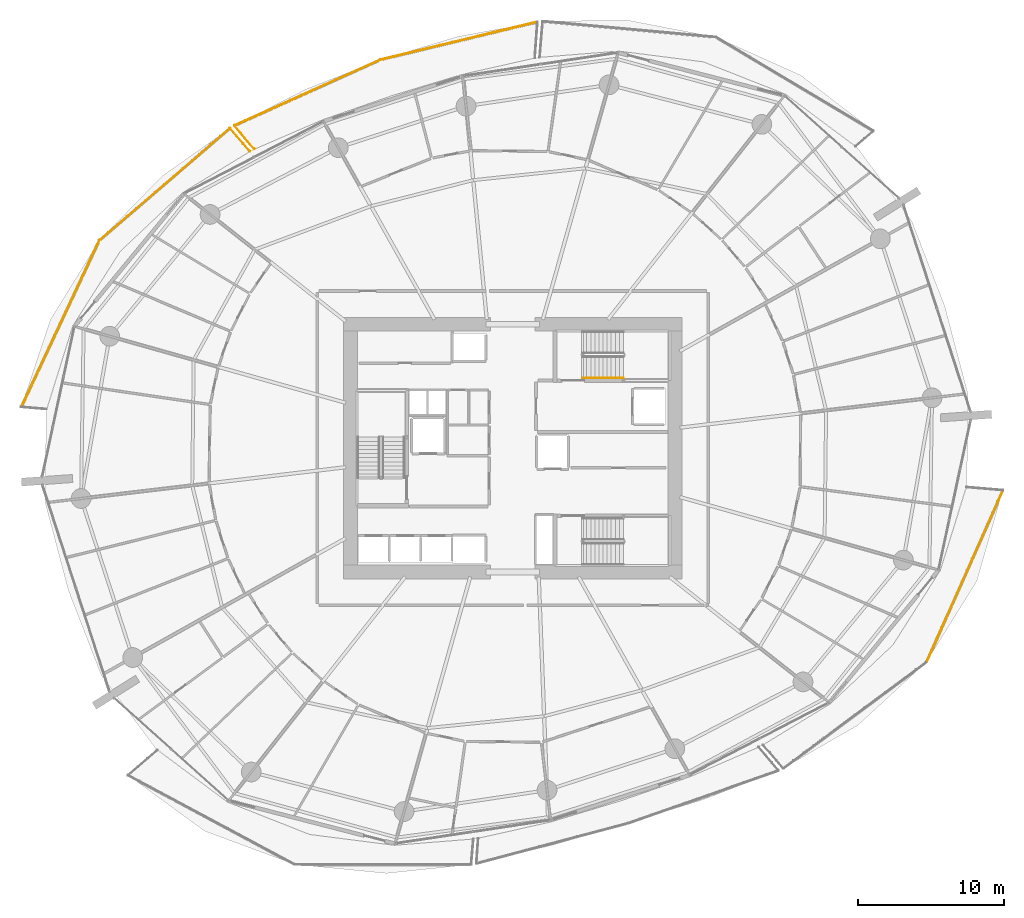
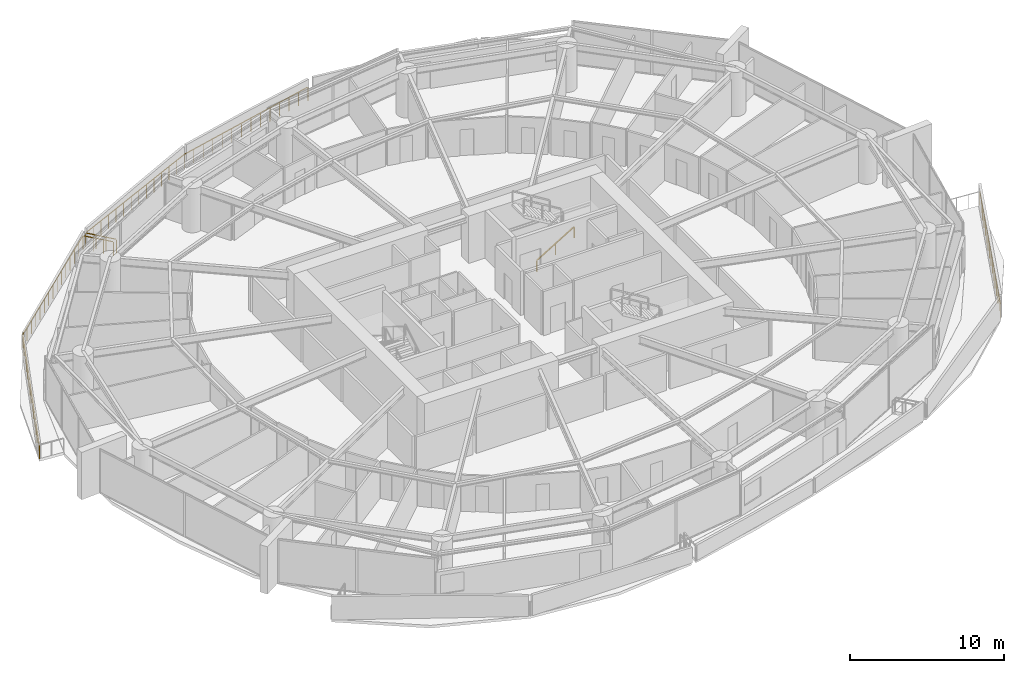
# One storey, part 29 of 31: 8 railings.
"""IFC4 building model written with IfcOpenShell, lengths in metres."""

from ifc_helpers import new_model, si_unit, direction, frame, origin, origin_2d, place, context, subcontext, project, spatial, rectangle, extrude, material, type_object, element, save


model = new_model("IFC4")

# Units and contexts
model_context = context("Model", 3, precision=1e-05, world=origin(), true_north=direction((0.0, 1.0)))
body_context = subcontext(model_context, "Body", "Model", "MODEL_VIEW")
ifc_project = project(units=[si_unit("LENGTHUNIT", "METRE"), si_unit("AREAUNIT", "SQUARE_METRE"), si_unit("VOLUMEUNIT", "CUBIC_METRE"), si_unit("PLANEANGLEUNIT", "RADIAN"), si_unit("MASSUNIT", "GRAM", prefix="KILO")], contexts=[model_context])

# Site, building, storey
site_placement = place(None, origin())
site = spatial("IfcSite", under=ifc_project, at=site_placement, CompositionType="ELEMENT")
building_placement = place(site_placement, origin())
building = spatial("IfcBuilding", under=site, at=building_placement, Name="Kazma Halo Residences", CompositionType="ELEMENT")
storey_placement = place(building_placement, frame((0.0, 0.0, 30.14990234375)))
storey = spatial("IfcBuildingStorey", under=building, at=storey_placement, Name="L06", CompositionType="ELEMENT", Elevation=30.14990234375)

# Railings
ifc_material_1 = material(Name="Aluminium AW-6063 T6 Brushed Cap Rail", Category="aluminium")
railing_type_1 = type_object("IfcRailingType", Name="RLG-BAL-CAP-1120", PredefinedType="BALUSTRADE", material=ifc_material_1)
railing_1_placement = place(storey_placement, frame((50.115234375, 71.1533203125, 0.0)))
element("IfcRailing", 1, at=railing_1_placement, inside=storey, type_object=railing_type_1, Name="L06 NNW wave balcony guard 2", PredefinedType="BALUSTRADE", context=body_context, shape_type="SweptSolid", body=[
    extrude(rectangle(XDim=0.050048828125, YDim=0.050048828125, at=origin_2d()), frame((-0.041259765625, -0.010009765625, 1.09521484375), z_axis=(-0.972166742851, -0.234290042669, 0.0), x_axis=(0.234290042669, -0.972166742851, 0.0)), (0.0, 0.0, 1.0), 10.968994140625),
    extrude(rectangle(XDim=0.0400390625, YDim=0.0400390625, at=origin_2d()), origin(), (0.0, 0.0, 1.0), 1.05810546875),
    extrude(rectangle(XDim=0.0400390625, YDim=0.0400390625, at=origin_2d()), frame((-0.82666015625, -0.19921875, 0.0)), (0.0, 0.0, 1.0), 1.05810546875),
    extrude(rectangle(XDim=0.0400390625, YDim=0.0400390625, at=origin_2d()), frame((-1.6533203125, -0.3984375, 0.0)), (0.0, 0.0, 1.0), 1.05810546875),
    extrude(rectangle(XDim=0.0400390625, YDim=0.0400390625, at=origin_2d()), frame((-2.47998046875, -0.59765625, 0.0)), (0.0, 0.0, 1.0), 1.05810546875),
    extrude(rectangle(XDim=0.0400390625, YDim=0.0400390625, at=origin_2d()), frame((-3.306640625, -0.796875, 0.0)), (0.0, 0.0, 1.0), 1.05810546875),
    extrude(rectangle(XDim=0.0400390625, YDim=0.0400390625, at=origin_2d()), frame((-4.13330078125, -0.99609375, 0.0)), (0.0, 0.0, 1.0), 1.05810546875),
    extrude(rectangle(XDim=0.0400390625, YDim=0.0400390625, at=origin_2d()), frame((-4.9599609375, -1.1953125, 0.0)), (0.0, 0.0, 1.0), 1.05810546875),
    extrude(rectangle(XDim=0.0400390625, YDim=0.0400390625, at=origin_2d()), frame((-5.786376953125, -1.39453125, 0.0)), (0.0, 0.0, 1.0), 1.05810546875),
    extrude(rectangle(XDim=0.0400390625, YDim=0.0400390625, at=origin_2d()), frame((-6.613037109375, -1.59375, 0.0)), (0.0, 0.0, 1.0), 1.05810546875),
    extrude(rectangle(XDim=0.0400390625, YDim=0.0400390625, at=origin_2d()), frame((-7.439697265625, -1.79296875, 0.0)), (0.0, 0.0, 1.0), 1.05810546875),
    extrude(rectangle(XDim=0.0400390625, YDim=0.0400390625, at=origin_2d()), frame((-8.266357421875, -1.9921875, 0.0)), (0.0, 0.0, 1.0), 1.05810546875),
    extrude(rectangle(XDim=0.0400390625, YDim=0.0400390625, at=origin_2d()), frame((-9.093017578125, -2.19140625, 0.0)), (0.0, 0.0, 1.0), 1.05810546875),
    extrude(rectangle(XDim=0.0400390625, YDim=0.0400390625, at=origin_2d()), frame((-9.919677734375, -2.390625, 0.0)), (0.0, 0.0, 1.0), 1.05810546875),
    extrude(rectangle(XDim=0.0400390625, YDim=0.0400390625, at=origin_2d()), frame((-10.746337890625, -2.58984375, 0.0)), (0.0, 0.0, 1.0), 1.05810546875),
])
railing_2_placement = place(storey_placement, frame((39.368896484375, 68.5634765625, 0.0)))
element("IfcRailing", 2, at=railing_2_placement, inside=storey, type_object=railing_type_1, Name="L06 NNW wave balcony guard 3", PredefinedType="BALUSTRADE", context=body_context, shape_type="SweptSolid", body=[
    extrude(rectangle(XDim=0.050048828125, YDim=0.050048828125, at=origin_2d()), frame((-0.038818359375, -0.017578125, 1.09521484375), z_axis=(-0.911628372298, -0.411015462996, 0.0), x_axis=(0.411015462996, -0.911628372298, 0.0)), (0.0, 0.0, 1.0), 10.863525390625),
    extrude(rectangle(XDim=0.0400390625, YDim=0.0400390625, at=origin_2d()), origin(), (0.0, 0.0, 1.0), 1.05810546875),
    extrude(rectangle(XDim=0.0400390625, YDim=0.0400390625, at=origin_2d()), frame((-0.767822265625, -0.34619140625, 0.0)), (0.0, 0.0, 1.0), 1.05810546875),
    extrude(rectangle(XDim=0.0400390625, YDim=0.0400390625, at=origin_2d()), frame((-1.53564453125, -0.6923828125, 0.0)), (0.0, 0.0, 1.0), 1.05810546875),
    extrude(rectangle(XDim=0.0400390625, YDim=0.0400390625, at=origin_2d()), frame((-2.30322265625, -1.03857421875, 0.0)), (0.0, 0.0, 1.0), 1.05810546875),
    extrude(rectangle(XDim=0.0400390625, YDim=0.0400390625, at=origin_2d()), frame((-3.071044921875, -1.384521484375, 0.0)), (0.0, 0.0, 1.0), 1.05810546875),
    extrude(rectangle(XDim=0.0400390625, YDim=0.0400390625, at=origin_2d()), frame((-3.8388671875, -1.730712890625, 0.0)), (0.0, 0.0, 1.0), 1.05810546875),
    extrude(rectangle(XDim=0.0400390625, YDim=0.0400390625, at=origin_2d()), frame((-4.606689453125, -2.076904296875, 0.0)), (0.0, 0.0, 1.0), 1.05810546875),
    extrude(rectangle(XDim=0.0400390625, YDim=0.0400390625, at=origin_2d()), frame((-5.374267578125, -2.423095703125, 0.0)), (0.0, 0.0, 1.0), 1.05810546875),
    extrude(rectangle(XDim=0.0400390625, YDim=0.0400390625, at=origin_2d()), frame((-6.14208984375, -2.769287109375, 0.0)), (0.0, 0.0, 1.0), 1.05810546875),
    extrude(rectangle(XDim=0.0400390625, YDim=0.0400390625, at=origin_2d()), frame((-6.909912109375, -3.115478515625, 0.0)), (0.0, 0.0, 1.0), 1.05810546875),
    extrude(rectangle(XDim=0.0400390625, YDim=0.0400390625, at=origin_2d()), frame((-7.677734375, -3.46142578125, 0.0)), (0.0, 0.0, 1.0), 1.05810546875),
    extrude(rectangle(XDim=0.0400390625, YDim=0.0400390625, at=origin_2d()), frame((-8.4453125, -3.8076171875, 0.0)), (0.0, 0.0, 1.0), 1.05810546875),
    extrude(rectangle(XDim=0.0400390625, YDim=0.0400390625, at=origin_2d()), frame((-9.213134765625, -4.15380859375, 0.0)), (0.0, 0.0, 1.0), 1.05810546875),
    extrude(rectangle(XDim=0.0400390625, YDim=0.0400390625, at=origin_2d()), frame((-9.98095703125, -4.5, 0.0)), (0.0, 0.0, 1.0), 1.05810546875),
])
railing_3_placement = place(storey_placement, frame((29.387939453125, 64.0634765625, 0.0)))
element("IfcRailing", 3, at=railing_3_placement, inside=storey, type_object=railing_type_1, Name="L06 NNW wave balcony guard 4", PredefinedType="BALUSTRADE", context=body_context, shape_type="SweptSolid", body=[
    extrude(rectangle(XDim=0.050048828125, YDim=0.050048828125, at=origin_2d()), frame((0.02734375, -0.032470703125, 1.09521484375), z_axis=(0.644782437668, -0.764366147912, 0.0), x_axis=(0.764366147912, 0.644782437668, 0.0)), (0.0, 0.0, 1.0), 2.030029296875),
    extrude(rectangle(XDim=0.0400390625, YDim=0.0400390625, at=origin_2d()), origin(), (0.0, 0.0, 1.0), 1.05810546875),
    extrude(rectangle(XDim=0.0400390625, YDim=0.0400390625, at=origin_2d()), frame((0.45458984375, -0.538818359375, 0.0)), (0.0, 0.0, 1.0), 1.05810546875),
    extrude(rectangle(XDim=0.0400390625, YDim=0.0400390625, at=origin_2d()), frame((0.9091796875, -1.077880859375, 0.0)), (0.0, 0.0, 1.0), 1.05810546875),
    extrude(rectangle(XDim=0.0400390625, YDim=0.0400390625, at=origin_2d()), frame((1.36376953125, -1.61669921875, 0.0)), (0.0, 0.0, 1.0), 1.05810546875),
])
railing_4_placement = place(storey_placement, frame((30.453857421875, 62.29150390625, 0.0)))
element("IfcRailing", 4, at=railing_4_placement, inside=storey, type_object=railing_type_1, Name="L06 NW wave balcony guard 1", PredefinedType="BALUSTRADE", context=body_context, shape_type="SweptSolid", body=[
    extrude(rectangle(XDim=0.050048828125, YDim=0.050048828125, at=origin_2d()), frame((-0.02783203125, 0.0322265625, 1.09521484375), z_axis=(-0.654010002836, 0.756485899532, 0.0), x_axis=(-0.756485899532, -0.654010002836, 0.0)), (0.0, 0.0, 1.0), 2.01611328125),
    extrude(rectangle(XDim=0.0400390625, YDim=0.0400390625, at=origin_2d()), origin(), (0.0, 0.0, 1.0), 1.05810546875),
    extrude(rectangle(XDim=0.0400390625, YDim=0.0400390625, at=origin_2d()), frame((-0.4580078125, 0.52978515625, 0.0)), (0.0, 0.0, 1.0), 1.05810546875),
    extrude(rectangle(XDim=0.0400390625, YDim=0.0400390625, at=origin_2d()), frame((-0.916259765625, 1.059814453125, 0.0)), (0.0, 0.0, 1.0), 1.05810546875),
    extrude(rectangle(XDim=0.0400390625, YDim=0.0400390625, at=origin_2d()), frame((-1.374267578125, 1.589599609375, 0.0)), (0.0, 0.0, 1.0), 1.05810546875),
])
railing_5_placement = place(storey_placement, frame((29.07958984375, 63.881103515625, 0.0)))
element("IfcRailing", 5, at=railing_5_placement, inside=storey, type_object=railing_type_1, Name="L06 NW wave balcony guard 2", PredefinedType="BALUSTRADE", context=body_context, shape_type="SweptSolid", body=[
    extrude(rectangle(XDim=0.050048828125, YDim=0.050048828125, at=origin_2d()), frame((-0.0322265625, -0.02783203125, 1.09521484375), z_axis=(-0.758358383102, -0.651837834725, 0.0), x_axis=(0.651837834725, -0.758358383102, 0.0)), (0.0, 0.0, 1.0), 11.704833984375),
    extrude(rectangle(XDim=0.0400390625, YDim=0.0400390625, at=origin_2d()), origin(), (0.0, 0.0, 1.0), 1.05810546875),
    extrude(rectangle(XDim=0.0400390625, YDim=0.0400390625, at=origin_2d()), frame((-0.638671875, -0.548828125, 0.0)), (0.0, 0.0, 1.0), 1.05810546875),
    extrude(rectangle(XDim=0.0400390625, YDim=0.0400390625, at=origin_2d()), frame((-1.27734375, -1.097900390625, 0.0)), (0.0, 0.0, 1.0), 1.05810546875),
    extrude(rectangle(XDim=0.0400390625, YDim=0.0400390625, at=origin_2d()), frame((-1.916015625, -1.646728515625, 0.0)), (0.0, 0.0, 1.0), 1.05810546875),
    extrude(rectangle(XDim=0.0400390625, YDim=0.0400390625, at=origin_2d()), frame((-2.554443359375, -2.19580078125, 0.0)), (0.0, 0.0, 1.0), 1.05810546875),
    extrude(rectangle(XDim=0.0400390625, YDim=0.0400390625, at=origin_2d()), frame((-3.193115234375, -2.74462890625, 0.0)), (0.0, 0.0, 1.0), 1.05810546875),
    extrude(rectangle(XDim=0.0400390625, YDim=0.0400390625, at=origin_2d()), frame((-3.831787109375, -3.293701171875, 0.0)), (0.0, 0.0, 1.0), 1.05810546875),
    extrude(rectangle(XDim=0.0400390625, YDim=0.0400390625, at=origin_2d()), frame((-4.470458984375, -3.842529296875, 0.0)), (0.0, 0.0, 1.0), 1.05810546875),
    extrude(rectangle(XDim=0.0400390625, YDim=0.0400390625, at=origin_2d()), frame((-5.109130859375, -4.391357421875, 0.0)), (0.0, 0.0, 1.0), 1.05810546875),
    extrude(rectangle(XDim=0.0400390625, YDim=0.0400390625, at=origin_2d()), frame((-5.747802734375, -4.9404296875, 0.0)), (0.0, 0.0, 1.0), 1.05810546875),
    extrude(rectangle(XDim=0.0400390625, YDim=0.0400390625, at=origin_2d()), frame((-6.386474609375, -5.4892578125, 0.0)), (0.0, 0.0, 1.0), 1.05810546875),
    extrude(rectangle(XDim=0.0400390625, YDim=0.0400390625, at=origin_2d()), frame((-7.02490234375, -6.038330078125, 0.0)), (0.0, 0.0, 1.0), 1.05810546875),
    extrude(rectangle(XDim=0.0400390625, YDim=0.0400390625, at=origin_2d()), frame((-7.66357421875, -6.587158203125, 0.0)), (0.0, 0.0, 1.0), 1.05810546875),
    extrude(rectangle(XDim=0.0400390625, YDim=0.0400390625, at=origin_2d()), frame((-8.30224609375, -7.13623046875, 0.0)), (0.0, 0.0, 1.0), 1.05810546875),
    extrude(rectangle(XDim=0.0400390625, YDim=0.0400390625, at=origin_2d()), frame((-8.94091796875, -7.68505859375, 0.0)), (0.0, 0.0, 1.0), 1.05810546875),
])
railing_6_placement = place(storey_placement, frame((20.138671875, 56.196044921875, 0.0)))
element("IfcRailing", 6, at=railing_6_placement, inside=storey, type_object=railing_type_1, Name="L06 NW wave balcony guard 3", PredefinedType="BALUSTRADE", context=body_context, shape_type="SweptSolid", body=[
    extrude(rectangle(XDim=0.050048828125, YDim=0.050048828125, at=origin_2d()), frame((-0.01806640625, -0.03857421875, 1.09521484375), z_axis=(-0.424196429436, -0.905570201174, 0.0), x_axis=(0.905570201174, -0.424196429436, 0.0)), (0.0, 0.0, 1.0), 12.481201171875),
    extrude(rectangle(XDim=0.0400390625, YDim=0.0400390625, at=origin_2d()), origin(), (0.0, 0.0, 1.0), 1.05810546875),
    extrude(rectangle(XDim=0.0400390625, YDim=0.0400390625, at=origin_2d()), frame((-0.380859375, -0.812744140625, 0.0)), (0.0, 0.0, 1.0), 1.05810546875),
    extrude(rectangle(XDim=0.0400390625, YDim=0.0400390625, at=origin_2d()), frame((-0.761474609375, -1.625732421875, 0.0)), (0.0, 0.0, 1.0), 1.05810546875),
    extrude(rectangle(XDim=0.0400390625, YDim=0.0400390625, at=origin_2d()), frame((-1.142333984375, -2.4384765625, 0.0)), (0.0, 0.0, 1.0), 1.05810546875),
    extrude(rectangle(XDim=0.0400390625, YDim=0.0400390625, at=origin_2d()), frame((-1.52294921875, -3.251220703125, 0.0)), (0.0, 0.0, 1.0), 1.05810546875),
    extrude(rectangle(XDim=0.0400390625, YDim=0.0400390625, at=origin_2d()), frame((-1.90380859375, -4.064208984375, 0.0)), (0.0, 0.0, 1.0), 1.05810546875),
    extrude(rectangle(XDim=0.0400390625, YDim=0.0400390625, at=origin_2d()), frame((-2.284423828125, -4.876953125, 0.0)), (0.0, 0.0, 1.0), 1.05810546875),
    extrude(rectangle(XDim=0.0400390625, YDim=0.0400390625, at=origin_2d()), frame((-2.665283203125, -5.68994140625, 0.0)), (0.0, 0.0, 1.0), 1.05810546875),
    extrude(rectangle(XDim=0.0400390625, YDim=0.0400390625, at=origin_2d()), frame((-3.046142578125, -6.502685546875, 0.0)), (0.0, 0.0, 1.0), 1.05810546875),
    extrude(rectangle(XDim=0.0400390625, YDim=0.0400390625, at=origin_2d()), frame((-3.4267578125, -7.3154296875, 0.0)), (0.0, 0.0, 1.0), 1.05810546875),
    extrude(rectangle(XDim=0.0400390625, YDim=0.0400390625, at=origin_2d()), frame((-3.8076171875, -8.12841796875, 0.0)), (0.0, 0.0, 1.0), 1.05810546875),
    extrude(rectangle(XDim=0.0400390625, YDim=0.0400390625, at=origin_2d()), frame((-4.188232421875, -8.941162109375, 0.0)), (0.0, 0.0, 1.0), 1.05810546875),
    extrude(rectangle(XDim=0.0400390625, YDim=0.0400390625, at=origin_2d()), frame((-4.569091796875, -9.75390625, 0.0)), (0.0, 0.0, 1.0), 1.05810546875),
    extrude(rectangle(XDim=0.0400390625, YDim=0.0400390625, at=origin_2d()), frame((-4.94970703125, -10.56689453125, 0.0)), (0.0, 0.0, 1.0), 1.05810546875),
    extrude(rectangle(XDim=0.0400390625, YDim=0.0400390625, at=origin_2d()), frame((-5.33056640625, -11.379638671875, 0.0)), (0.0, 0.0, 1.0), 1.05810546875),
])
railing_7_placement = place(storey_placement, frame((76.717529296875, 27.36767578125, 0.0)))
element("IfcRailing", 7, at=railing_7_placement, inside=storey, type_object=railing_type_1, Name="L06 SE wave balcony guard 3", PredefinedType="BALUSTRADE", context=body_context, shape_type="SweptSolid", body=[
    extrude(rectangle(XDim=0.050048828125, YDim=0.050048828125, at=origin_2d()), frame((0.017333984375, 0.038818359375, 1.09521484375), z_axis=(0.405946458784, 0.91389686103, 0.0), x_axis=(-0.91389686103, 0.405946458784, 0.0)), (0.0, 0.0, 1.0), 12.77490234375),
    extrude(rectangle(XDim=0.0400390625, YDim=0.0400390625, at=origin_2d()), origin(), (0.0, 0.0, 1.0), 1.05810546875),
    extrude(rectangle(XDim=0.0400390625, YDim=0.0400390625, at=origin_2d()), frame((0.34814453125, 0.783447265625, 0.0)), (0.0, 0.0, 1.0), 1.05810546875),
    extrude(rectangle(XDim=0.0400390625, YDim=0.0400390625, at=origin_2d()), frame((0.696044921875, 1.567138671875, 0.0)), (0.0, 0.0, 1.0), 1.05810546875),
    extrude(rectangle(XDim=0.0400390625, YDim=0.0400390625, at=origin_2d()), frame((1.044189453125, 2.3505859375, 0.0)), (0.0, 0.0, 1.0), 1.05810546875),
    extrude(rectangle(XDim=0.0400390625, YDim=0.0400390625, at=origin_2d()), frame((1.39208984375, 3.134033203125, 0.0)), (0.0, 0.0, 1.0), 1.05810546875),
    extrude(rectangle(XDim=0.0400390625, YDim=0.0400390625, at=origin_2d()), frame((1.740234375, 3.91748046875, 0.0)), (0.0, 0.0, 1.0), 1.05810546875),
    extrude(rectangle(XDim=0.0400390625, YDim=0.0400390625, at=origin_2d()), frame((2.088134765625, 4.701171875, 0.0)), (0.0, 0.0, 1.0), 1.05810546875),
    extrude(rectangle(XDim=0.0400390625, YDim=0.0400390625, at=origin_2d()), frame((2.436279296875, 5.484619140625, 0.0)), (0.0, 0.0, 1.0), 1.05810546875),
    extrude(rectangle(XDim=0.0400390625, YDim=0.0400390625, at=origin_2d()), frame((2.7841796875, 6.26806640625, 0.0)), (0.0, 0.0, 1.0), 1.05810546875),
    extrude(rectangle(XDim=0.0400390625, YDim=0.0400390625, at=origin_2d()), frame((3.13232421875, 7.051513671875, 0.0)), (0.0, 0.0, 1.0), 1.05810546875),
    extrude(rectangle(XDim=0.0400390625, YDim=0.0400390625, at=origin_2d()), frame((3.480224609375, 7.835205078125, 0.0)), (0.0, 0.0, 1.0), 1.05810546875),
    extrude(rectangle(XDim=0.0400390625, YDim=0.0400390625, at=origin_2d()), frame((3.828369140625, 8.61865234375, 0.0)), (0.0, 0.0, 1.0), 1.05810546875),
    extrude(rectangle(XDim=0.0400390625, YDim=0.0400390625, at=origin_2d()), frame((4.17626953125, 9.402099609375, 0.0)), (0.0, 0.0, 1.0), 1.05810546875),
    extrude(rectangle(XDim=0.0400390625, YDim=0.0400390625, at=origin_2d()), frame((4.5244140625, 10.185546875, 0.0)), (0.0, 0.0, 1.0), 1.05810546875),
    extrude(rectangle(XDim=0.0400390625, YDim=0.0400390625, at=origin_2d()), frame((4.872314453125, 10.96923828125, 0.0)), (0.0, 0.0, 1.0), 1.05810546875),
    extrude(rectangle(XDim=0.0400390625, YDim=0.0400390625, at=origin_2d()), frame((5.220458984375, 11.752685546875, 0.0)), (0.0, 0.0, 1.0), 1.05810546875),
])
ifc_material_2 = material(Name="Brushed Stainless Steel", Category="steel")
railing_type_2 = type_object("IfcRailingType", Name="RLG-STAIR-HND-900", PredefinedType="HANDRAIL", material=ifc_material_2)
railing_8_placement = place(storey_placement, frame((53.199951171875, 46.800048828125, 0.170654296875)))
element("IfcRailing", 8, at=railing_8_placement, inside=storey, type_object=railing_type_2, Name="L06 ST-02 stair handrail 1", PredefinedType="HANDRAIL", context=body_context, shape_type="SweptSolid", body=[
    extrude(rectangle(XDim=0.050048828125, YDim=0.050048828125, at=origin_2d()), frame((0.036376953125, 0.0, 0.89697265625), z_axis=(0.854202870247, 0.0, 0.519939858505), x_axis=(0.0, 1.0, 0.0)), (0.0, 0.0, 1.0), 3.19287109375),
    extrude(rectangle(XDim=0.0400390625, YDim=0.0400390625, at=origin_2d()), origin(), (0.0, 0.0, 1.0), 0.837890625),
    extrude(rectangle(XDim=0.0400390625, YDim=0.0400390625, at=origin_2d()), frame((1.39990234375, 0.0, 0.85205078125)), (0.0, 0.0, 1.0), 0.837890625),
    extrude(rectangle(XDim=0.0400390625, YDim=0.0400390625, at=origin_2d()), frame((2.800048828125, 0.0, 1.704345703125)), (0.0, 0.0, 1.0), 0.837890625),
])

save(model, "model.ifc")
